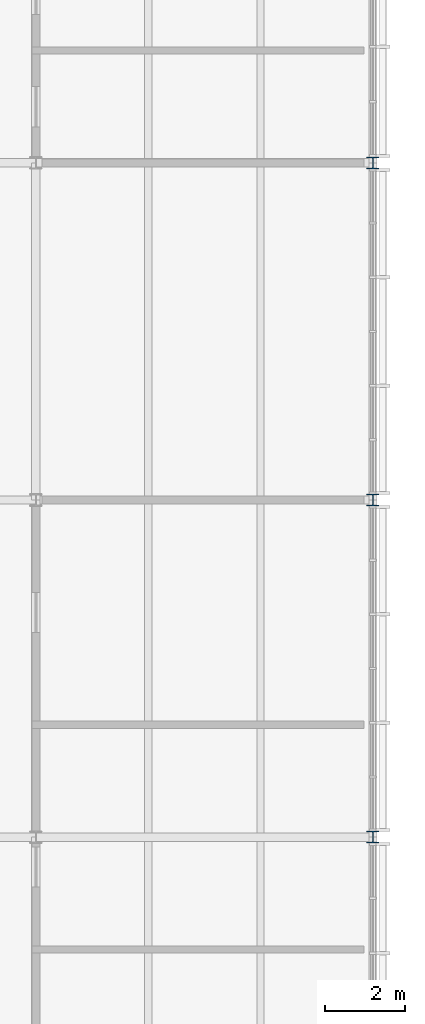
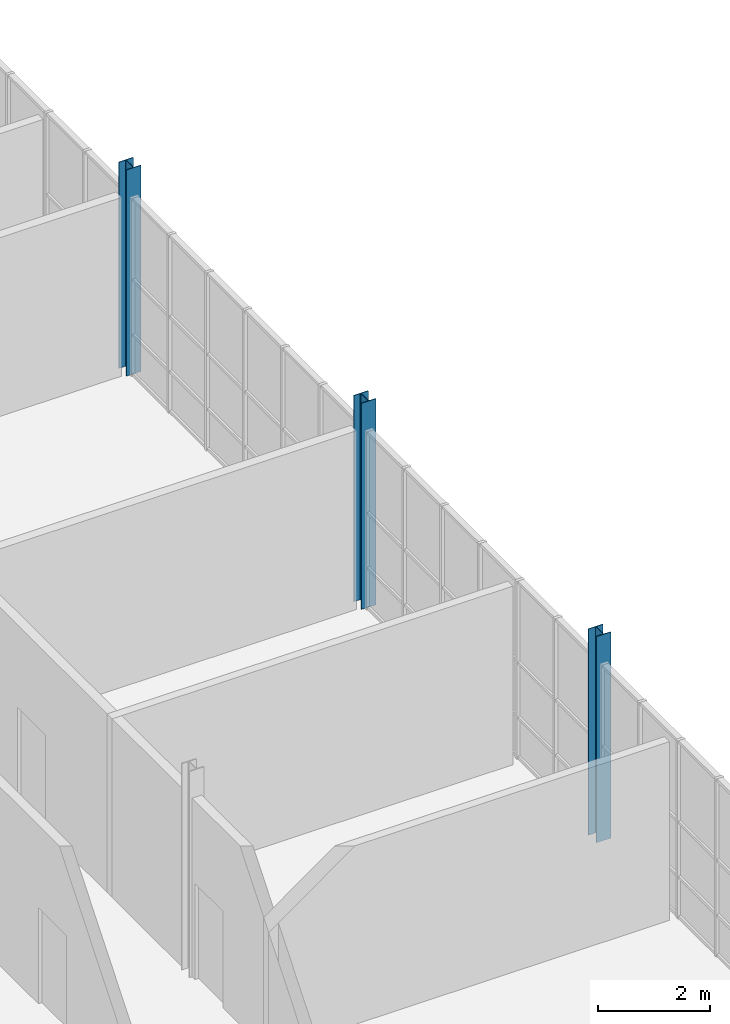
# One storey, part 11 of 129: 3 columns.
"""IFC4 building model written with IfcOpenShell, lengths in metres."""

from ifc_helpers import new_model, si_unit, direction, frame, origin, origin_2d, place, context, subcontext, project, spatial, i_section, extrude, material, material_profile, profile_set, type_object, element, save


model = new_model("IFC4")

# Units and contexts
model_context = context("Model", 3, precision=1e-05, world=origin(), true_north=direction((0.0, 1.0)))
body_context = subcontext(model_context, "Body", "Model", "MODEL_VIEW")
ifc_project = project(units=[si_unit("LENGTHUNIT", "METRE"), si_unit("AREAUNIT", "SQUARE_METRE"), si_unit("VOLUMEUNIT", "CUBIC_METRE"), si_unit("PLANEANGLEUNIT", "RADIAN"), si_unit("MASSUNIT", "GRAM", prefix="KILO")], contexts=[model_context])

# Site, building, storey
site_placement = place(None, origin())
site = spatial("IfcSite", under=ifc_project, at=site_placement, CompositionType="ELEMENT")
building_placement = place(site_placement, origin())
building = spatial("IfcBuilding", under=site, at=building_placement, Name="Ardhachandra Cancer Care Centre", CompositionType="ELEMENT")
storey_placement = place(building_placement, frame((0.0, 0.0, 4.5)))
storey = spatial("IfcBuildingStorey", under=building, at=storey_placement, Name="L01", CompositionType="ELEMENT", Elevation=4.5)

# Columns
ifc_material = material(Name="Steel E350 (IS 2062)", Category="steel")
ifc_material_profile = material_profile(ifc_material, i_section(OverallWidth=0.300048828125, OverallDepth=0.2900390625, WebThickness=0.008544921875, FlangeThickness=0.013916015625, FilletRadius=0.027099609375, at=origin_2d()), Name="WPB 300x300x88.33")
ifc_profile_set = profile_set([ifc_material_profile], Name="Steel E350 (IS 2062)")
column_type = type_object("IfcColumnType", Name="Column WPB 300x300x88.33", PredefinedType="COLUMN", material=ifc_profile_set)
for number, where, z_axis, x_axis, name in (
    (1, (145.199951171875, 46.199951171875, 0.0), (0.0, 0.0, 1.0), (1.0, 0.0, 0.0), "Column E17 L01"),
    (2, (145.199951171875, 54.60009765625, 0.0), (0.0, 0.0, 1.0), (1.0, 0.0, 0.0), "Column F17 L01"),
    (3, (145.199951171875, 63.0, 0.0), (0.0, 0.0, 1.0), (1.0, 0.0, 0.0), "Column G17 L01"),
):
    element("IfcColumn", number, at=place(storey_placement, frame(where, z_axis=z_axis, x_axis=x_axis)), inside=storey, type_object=column_type, Name=name, PredefinedType="COLUMN", context=body_context, shape_type="SweptSolid", body=[
        extrude(i_section(OverallWidth=0.300048828125, OverallDepth=0.2900390625, WebThickness=0.008544921875, FlangeThickness=0.013916015625, FilletRadius=0.027099609375, at=origin_2d()), origin(), (0.0, 0.0, 1.0), 4.5),
    ])

save(model, "model.ifc")
